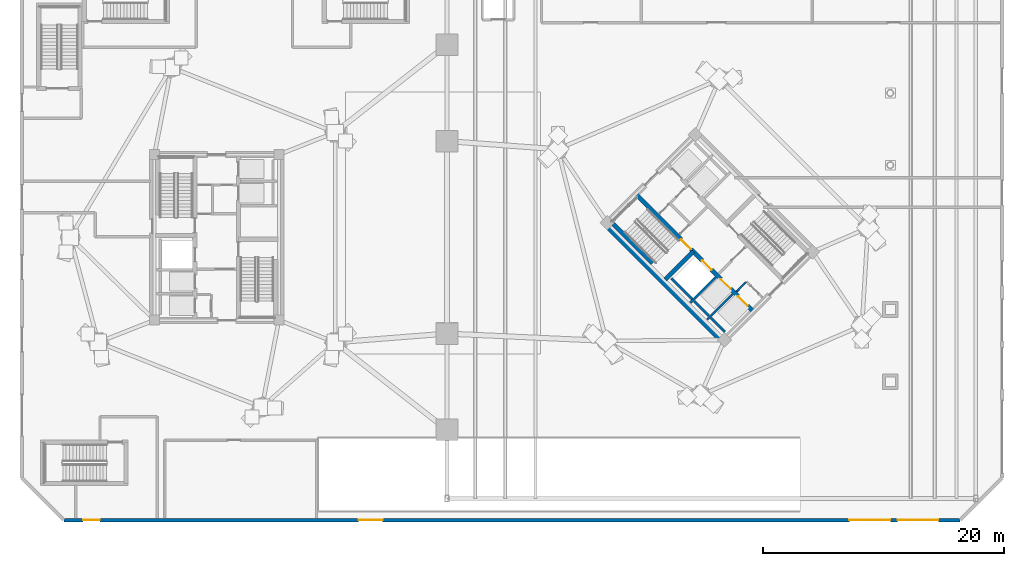
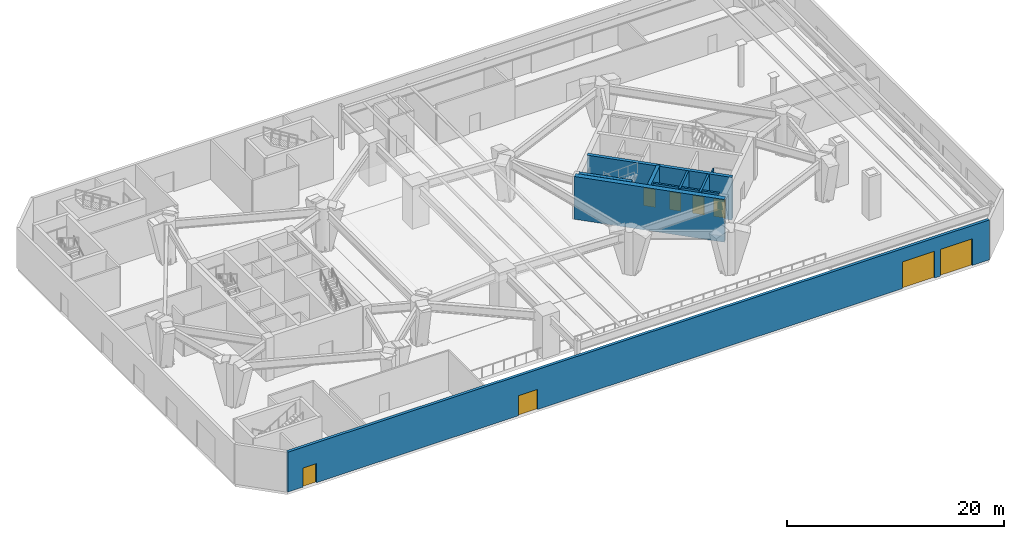
# One storey, part 7 of 17: 11 walls, 8 doors, 8 openings.
"""IFC4 building model written with IfcOpenShell, lengths in metres."""

from ifc_helpers import new_model, si_unit, direction, frame, frame_2d, origin, place, context, subcontext, project, spatial, rectangle, extrude, source, transform, mapped, material, layer, layer_set, type_object, element, fill, save


model = new_model("IFC4")

# Units and contexts
model_context = context("Model", 3, precision=1e-05, world=origin(), true_north=direction((0.0, 1.0)))
body_context = subcontext(model_context, "Body", "Model", "MODEL_VIEW")
ifc_project = project(units=[si_unit("LENGTHUNIT", "METRE"), si_unit("AREAUNIT", "SQUARE_METRE"), si_unit("VOLUMEUNIT", "CUBIC_METRE"), si_unit("PLANEANGLEUNIT", "RADIAN"), si_unit("MASSUNIT", "GRAM", prefix="KILO")], contexts=[model_context])

# Site, building, storey
site_placement = place(None, origin())
site = spatial("IfcSite", under=ifc_project, at=site_placement, CompositionType="ELEMENT")
building_placement = place(site_placement, origin())
building = spatial("IfcBuilding", under=site, at=building_placement, Name="Cununo Teusaquillo Station Towers", CompositionType="ELEMENT")
storey_placement = place(building_placement, origin())
storey = spatial("IfcBuildingStorey", under=building, at=storey_placement, Name="L00", CompositionType="ELEMENT", Elevation=0.0)

# Walls
ifc_material_1 = material(Name="Concrete C50/60", Category="concrete")
ifc_layer_1 = layer(ifc_material_1, 0.199951171875)
ifc_layer_set_1 = layer_set([ifc_layer_1], Name="Concrete C50/60")
wall_type_1 = type_object("IfcWallType", Name="WL-CORE-200", PredefinedType="SHEAR", material=ifc_layer_set_1)
wall_1_placement = place(storey_placement, frame((55.8876953125, 19.0693359375, 0.0), z_axis=(0.0, 0.0, 1.0), x_axis=(0.707106781187, 0.707106781187, 0.0)))
element("IfcWall", 1, at=wall_1_placement, inside=storey, type_object=wall_type_1, Name="L00 Tower B Firefighting Lift Shaft South Shear Wall", PredefinedType="SHEAR", context=body_context, shape_type="SweptSolid", body=[
    extrude(rectangle(XDim=2.969970703125, YDim=0.199951171875, at=frame_2d((1.48486328125, 0.0))), origin(), (0.0, 0.0, 1.0), 4.800048828125),
])
wall_2_placement = place(storey_placement, frame((56.01513671875, 19.366455078125, 0.0), z_axis=(0.0, 0.0, 1.0), x_axis=(-0.707106781187, 0.707106781187, 0.0)))
element("IfcWall", 2, at=wall_2_placement, inside=storey, type_object=wall_type_1, Name="L00 Tower B Firefighting Lift Shaft Rear Shear Wall", PredefinedType="SHEAR", context=body_context, shape_type="SweptSolid", body=[
    extrude(rectangle(XDim=2.43994140625, YDim=0.199951171875, at=frame_2d((1.219970703125, 0.0))), origin(), (0.0, 0.0, 1.0), 4.800048828125),
])
wall_3_placement = place(storey_placement, frame((57.2841796875, 17.6728515625, 0.0), z_axis=(0.0, 0.0, 1.0), x_axis=(0.707147878904, 0.70706568108, 0.0)))
element("IfcWall", 3, at=wall_3_placement, inside=storey, type_object=wall_type_1, Name="L00 Tower B High-Rise Lift Hoistway Divider Shear Wall", PredefinedType="SHEAR", context=body_context, shape_type="SweptSolid", body=[
    extrude(rectangle(XDim=2.97021484375, YDim=0.199951171875, at=frame_2d((1.485107421875, 0.0))), origin(), (0.0, 0.0, 1.0), 4.800048828125),
])
wall_4_placement = place(storey_placement, frame((57.41162109375, 17.969970703125, 0.0), z_axis=(0.0, 0.0, 1.0), x_axis=(-0.707106781187, 0.707106781187, 0.0)))
element("IfcWall", 4, at=wall_4_placement, inside=storey, type_object=wall_type_1, Name="L00 Tower B High-Rise Lift 2 Shaft Rear Shear Wall", PredefinedType="SHEAR", context=body_context, shape_type="SweptSolid", body=[
    extrude(rectangle(XDim=1.73486328125, YDim=0.199951171875, at=frame_2d((0.867431640625, 0.0))), origin(), (0.0, 0.0, 1.0), 4.800048828125),
])
wall_5_placement = place(storey_placement, frame((58.7373046875, 16.64404296875, 0.0), z_axis=(0.0, 0.0, 1.0), x_axis=(-0.707032117043, 0.707181437447, 0.0)))
element("IfcWall", 5, at=wall_5_placement, inside=storey, type_object=wall_type_1, Name="L00 Tower B High-Rise Lift 1 Shaft Rear Shear Wall", PredefinedType="SHEAR", context=body_context, shape_type="SweptSolid", body=[
    extrude(rectangle(XDim=1.635009765625, YDim=0.199951171875, at=frame_2d((0.8173828125, 0.0))), origin(), (0.0, 0.0, 1.0), 4.800048828125),
])

# Wall, openings, doors
ifc_material_2 = material(Name="Concrete C50/60", Category="concrete")
ifc_layer_2 = layer(ifc_material_2, 0.35009765625)
ifc_layer_set_2 = layer_set([ifc_layer_2], Name="Concrete C50/60")
wall_type_2 = type_object("IfcWallType", Name="WL-CORE-350", PredefinedType="SHEAR", material=ifc_layer_set_2)
wall_6_placement = place(storey_placement, frame((61.095703125, 18.337646484375, 0.0), z_axis=(0.0, 0.0, 1.0), x_axis=(-0.707106781187, 0.707106781187, 0.0)))
wall_6 = element("IfcWall", 6, at=wall_6_placement, inside=storey, type_object=wall_type_2, Name="L00 Tower B Core Shear Wall IW", PredefinedType="SHEAR", context=body_context, shape_type="SweptSolid", body=[
    extrude(rectangle(XDim=13.800048828125, YDim=0.35009765625, at=frame_2d((6.89990234375, 0.0))), origin(), (0.0, 0.0, 1.0), 4.800048828125),
])
shared_shape_1 = source(origin(), body_context, "Body", "SweptSolid", [
    extrude(rectangle(XDim=1.10009765625, YDim=2.014892578125, at=frame_2d((0.550048828125, 1.00732421875))), frame((0.0, 0.18505859375, 0.0), z_axis=(0.0, -1.0, 0.0), x_axis=(1.0, 0.0, 0.0)), (0.0, 0.0, 1.0), 0.3701171875),
])
opening_1_placement = place(wall_6_placement, frame((4.89990234375, 0.0, 0.0)))
opening_1 = element("IfcOpeningElement", 7, at=opening_1_placement, cuts=wall_6, Name="Opening LD-01", PredefinedType="OPENING", context=body_context, shape_type="MappedRepresentation", body=[
    mapped(shared_shape_1, transform((0.0, 0.0, 0.0), x_axis=(1.0, 0.0, 0.0), y_axis=(0.0, 1.0, 0.0), z_axis=(0.0, 0.0, 1.0), scale=1.0)),
])
opening_2_placement = place(wall_6_placement, frame((0.6748046875, 0.0, 0.0)))
opening_2 = element("IfcOpeningElement", 8, at=opening_2_placement, cuts=wall_6, Name="Opening LD-01", PredefinedType="OPENING", context=body_context, shape_type="MappedRepresentation", body=[
    mapped(shared_shape_1, transform((0.0, 0.0, 0.0), x_axis=(1.0, 0.0, 0.0), y_axis=(0.0, 1.0, 0.0), z_axis=(0.0, 0.0, 1.0), scale=1.0)),
])
opening_3_placement = place(wall_6_placement, frame((2.6748046875, 0.0, 0.0)))
opening_3 = element("IfcOpeningElement", 9, at=opening_3_placement, cuts=wall_6, Name="Opening LD-01", PredefinedType="OPENING", context=body_context, shape_type="MappedRepresentation", body=[
    mapped(shared_shape_1, transform((0.0, 0.0, 0.0), x_axis=(1.0, 0.0, 0.0), y_axis=(0.0, 1.0, 0.0), z_axis=(0.0, 0.0, 1.0), scale=1.0)),
])
shared_shape_2 = source(origin(), body_context, "Body", "SweptSolid", [
    extrude(rectangle(XDim=1.14990234375, YDim=2.02001953125, at=frame_2d((0.574951171875, 1.010009765625))), frame((0.0, 0.18505859375, 0.0), z_axis=(0.0, -1.0, 0.0), x_axis=(1.0, 0.0, 0.0)), (0.0, 0.0, 1.0), 0.3701171875),
])
opening_4_placement = place(wall_6_placement, frame((7.320068359375, 0.0, 0.0)))
opening_4 = element("IfcOpeningElement", 10, at=opening_4_placement, cuts=wall_6, Name="Opening D-ST1", PredefinedType="OPENING", context=body_context, shape_type="MappedRepresentation", body=[
    mapped(shared_shape_2, transform((0.0, 0.0, 0.0), x_axis=(1.0, 0.0, 0.0), y_axis=(0.0, 1.0, 0.0), z_axis=(0.0, 0.0, 1.0), scale=1.0)),
])
ifc_material_3 = material(Name="Galvanised fire-rated hollow steel door assembly", Category="steel")
door_type_1 = type_object("IfcDoorType", Name="DR-LIFT-1100", OperationType="SLIDING_TO_LEFT", PredefinedType="DOOR", material=ifc_material_3)
shared_shape_3 = source(origin(), body_context, "Body", "SweptSolid", [
    extrude(rectangle(XDim=1.10009765625, YDim=2.014892578125, at=frame_2d((0.550048828125, 1.00732421875))), frame((0.0, 0.02490234375, 0.0), z_axis=(0.0, -1.0, 0.0), x_axis=(1.0, 0.0, 0.0)), (0.0, 0.0, 1.0), 0.050048828125),
])
door_1_placement = place(opening_1_placement, origin())
door_1 = element("IfcDoor", 11, at=door_1_placement, inside=storey, type_object=door_type_1, Name="L00 Lift FL-T2 Sliding Landing Door", OperationType="SLIDING_TO_RIGHT", OverallHeight=2.014892578125, OverallWidth=1.10009765625, PredefinedType="DOOR", context=body_context, shape_type="MappedRepresentation", body=[
    mapped(shared_shape_3, transform((0.0, 0.0, 0.0), x_axis=(1.0, 0.0, 0.0), y_axis=(0.0, 1.0, 0.0), z_axis=(0.0, 0.0, 1.0), scale=1.0)),
])
fill(opening_1, door_1)
door_2_placement = place(opening_2_placement, origin())
door_2 = element("IfcDoor", 12, at=door_2_placement, inside=storey, type_object=door_type_1, Name="L00 Lift PL-T2-H1 Sliding Landing Door", OperationType="SLIDING_TO_LEFT", OverallHeight=2.014892578125, OverallWidth=1.10009765625, PredefinedType="DOOR", context=body_context, shape_type="MappedRepresentation", body=[
    mapped(shared_shape_3, transform((0.0, 0.0, 0.0), x_axis=(1.0, 0.0, 0.0), y_axis=(0.0, 1.0, 0.0), z_axis=(0.0, 0.0, 1.0), scale=1.0)),
])
fill(opening_2, door_2)
door_3_placement = place(opening_3_placement, origin())
door_3 = element("IfcDoor", 13, at=door_3_placement, inside=storey, type_object=door_type_1, Name="L00 Lift PL-T2-H2 Sliding Landing Door", OperationType="SLIDING_TO_RIGHT", OverallHeight=2.014892578125, OverallWidth=1.10009765625, PredefinedType="DOOR", context=body_context, shape_type="MappedRepresentation", body=[
    mapped(shared_shape_3, transform((0.0, 0.0, 0.0), x_axis=(1.0, 0.0, 0.0), y_axis=(0.0, 1.0, 0.0), z_axis=(0.0, 0.0, 1.0), scale=1.0)),
])
fill(opening_3, door_3)
ifc_material_4 = material(Name="Galvanised fire-rated hollow steel door assembly", Category="steel")
door_type_2 = type_object("IfcDoorType", Name="DR-STAIR-1150", OperationType="NOTDEFINED", PredefinedType="DOOR", material=ifc_material_4)
shared_shape_4 = source(origin(), body_context, "Body", "SweptSolid", [
    extrude(rectangle(XDim=1.14990234375, YDim=2.02001953125, at=frame_2d((0.574951171875, 1.010009765625))), frame((0.0, 0.02490234375, 0.0), z_axis=(0.0, -1.0, 0.0), x_axis=(1.0, 0.0, 0.0)), (0.0, 0.0, 1.0), 0.050048828125),
])
door_4_placement = place(opening_4_placement, origin())
door_4 = element("IfcDoor", 14, at=door_4_placement, inside=storey, type_object=door_type_2, Name="L00 Tower B Exit Stair 1 Fire Door", OperationType="SINGLE_SWING_LEFT", OverallHeight=2.02001953125, OverallWidth=1.14990234375, PredefinedType="DOOR", context=body_context, shape_type="MappedRepresentation", body=[
    mapped(shared_shape_4, transform((0.0, 0.0, 0.0), x_axis=(1.0, 0.0, 0.0), y_axis=(0.0, 1.0, 0.0), z_axis=(0.0, 0.0, 1.0), scale=1.0)),
])
fill(opening_4, door_4)

# Walls
wall_7_placement = place(storey_placement, frame((52.723388671875, 22.33984375, 0.0), z_axis=(0.0, 0.0, 1.0), x_axis=(-0.707106781187, 0.707106781187, 0.0)))
element("IfcWall", 15, at=wall_7_placement, inside=storey, type_object=wall_type_2, Name="L00 Tower B Core Shear Wall ST1W", PredefinedType="SHEAR", context=body_context, shape_type="SweptSolid", body=[
    extrude(rectangle(XDim=5.0498046875, YDim=0.35009765625, at=frame_2d((2.52490234375, 0.0))), origin(), (0.0, 0.0, 1.0), 4.800048828125),
])
wall_8_placement = place(storey_placement, frame((53.7841796875, 21.00341796875, 0.0), z_axis=(0.0, 0.0, 1.0), x_axis=(0.707106781187, 0.707106781187, 0.0)))
element("IfcWall", 16, at=wall_8_placement, inside=storey, type_object=wall_type_2, Name="L00 Tower B Core Shear Wall ST1S", PredefinedType="SHEAR", context=body_context, shape_type="SweptSolid", body=[
    extrude(rectangle(XDim=3.284912109375, YDim=0.35009765625, at=frame_2d((1.642578125, 0.0))), origin(), (0.0, 0.0, 1.0), 4.800048828125),
])
ifc_material_5 = material(Name="Concrete C60/75", Category="concrete")
ifc_layer_3 = layer(ifc_material_5, 0.5)
ifc_layer_set_3 = layer_set([ifc_layer_3], Name="Concrete C60/75")
wall_type_3 = type_object("IfcWallType", Name="WL-CORE-500", PredefinedType="SHEAR", material=ifc_layer_set_3)
wall_9_placement = place(storey_placement, frame((58.772705078125, 15.6611328125, 0.0), z_axis=(0.0, 0.0, 1.0), x_axis=(-0.707106781187, 0.707106781187, 0.0)))
element("IfcWall", 17, at=wall_9_placement, inside=storey, type_object=wall_type_3, Name="L00 Tower B Core Shear Wall W", PredefinedType="SHEAR", context=body_context, shape_type="SweptSolid", body=[
    extrude(rectangle(XDim=14.2998046875, YDim=0.5, at=frame_2d((7.14990234375, 0.0))), origin(), (0.0, 0.0, 1.0), 4.800048828125),
])

# Wall, openings, doors
ifc_material_6 = material(Name="Precast concrete C40/50", Category="concrete")
ifc_layer_4 = layer(ifc_material_6, 0.300048828125)
ifc_layer_set_4 = layer_set([ifc_layer_4], Name="Precast concrete C40/50")
wall_type_4 = type_object("IfcWallType", Name="WL-EXT-300", PredefinedType="SOLIDWALL", material=ifc_layer_set_4)
wall_10_placement = place(storey_placement, frame((78.300048828125, 1.0, 0.0), z_axis=(0.0, 0.0, 1.0), x_axis=(-1.0, 0.0, 0.0)))
wall_10 = element("IfcWall", 18, at=wall_10_placement, inside=storey, type_object=wall_type_4, Name="L00 Station Podium Facade Wall 7", PredefinedType="SOLIDWALL", context=body_context, shape_type="SweptSolid", body=[
    extrude(rectangle(XDim=74.5, YDim=0.300048828125, at=frame_2d((37.25, 0.0))), origin(), (0.0, 0.0, 1.0), 4.485107421875),
])
shared_shape_5 = source(origin(), body_context, "Body", "SweptSolid", [
    extrude(rectangle(XDim=3.39990234375, YDim=3.0, at=frame_2d((1.699951171875, 1.5))), frame((0.0, 0.159912109375, 0.0), z_axis=(0.0, -1.0, 0.0), x_axis=(1.0, 0.0, 0.0)), (0.0, 0.0, 1.0), 0.320068359375),
])
opening_5_placement = place(wall_10_placement, frame((1.800048828125, 0.0, 0.0)))
opening_5 = element("IfcOpeningElement", 19, at=opening_5_placement, cuts=wall_10, Name="Opening VG-02", PredefinedType="OPENING", context=body_context, shape_type="MappedRepresentation", body=[
    mapped(shared_shape_5, transform((0.0, 0.0, 0.0), x_axis=(1.0, 0.0, 0.0), y_axis=(0.0, 1.0, 0.0), z_axis=(0.0, 0.0, 1.0), scale=1.0)),
])
opening_6_placement = place(wall_10_placement, frame((5.800048828125, 0.0, 0.0)))
opening_6 = element("IfcOpeningElement", 20, at=opening_6_placement, cuts=wall_10, Name="Opening VG-02", PredefinedType="OPENING", context=body_context, shape_type="MappedRepresentation", body=[
    mapped(shared_shape_5, transform((0.0, 0.0, 0.0), x_axis=(1.0, 0.0, 0.0), y_axis=(0.0, 1.0, 0.0), z_axis=(0.0, 0.0, 1.0), scale=1.0)),
])
shared_shape_6 = source(origin(), body_context, "Body", "SweptSolid", [
    extrude(rectangle(XDim=2.0, YDim=2.25, at=frame_2d((1.0, 1.125))), frame((0.0, 0.159912109375, 0.0), z_axis=(0.0, -1.0, 0.0), x_axis=(1.0, 0.0, 0.0)), (0.0, 0.0, 1.0), 0.320068359375),
])
opening_7_placement = place(wall_10_placement, frame((48.0, 0.0, 0.0)))
opening_7 = element("IfcOpeningElement", 21, at=opening_7_placement, cuts=wall_10, Name="Opening ED-01", PredefinedType="OPENING", context=body_context, shape_type="MappedRepresentation", body=[
    mapped(shared_shape_6, transform((0.0, 0.0, 0.0), x_axis=(1.0, 0.0, 0.0), y_axis=(0.0, 1.0, 0.0), z_axis=(0.0, 0.0, 1.0), scale=1.0)),
])
shared_shape_7 = source(origin(), body_context, "Body", "SweptSolid", [
    extrude(rectangle(XDim=1.39990234375, YDim=2.14990234375, at=frame_2d((0.699951171875, 1.074951171875))), frame((0.0, 0.159912109375, 0.0), z_axis=(0.0, -1.0, 0.0), x_axis=(1.0, 0.0, 0.0)), (0.0, 0.0, 1.0), 0.320068359375),
])
opening_8_placement = place(wall_10_placement, frame((71.5, 0.0, 0.0)))
opening_8 = element("IfcOpeningElement", 22, at=opening_8_placement, cuts=wall_10, Name="Opening ED-02", PredefinedType="OPENING", context=body_context, shape_type="MappedRepresentation", body=[
    mapped(shared_shape_7, transform((0.0, 0.0, 0.0), x_axis=(1.0, 0.0, 0.0), y_axis=(0.0, 1.0, 0.0), z_axis=(0.0, 0.0, 1.0), scale=1.0)),
])
ifc_material_7 = material(Name="Galvanised fire-rated hollow steel door assembly", Category="steel")
door_type_3 = type_object("IfcDoorType", Name="DR-EXT-STAIR", OperationType="NOTDEFINED", PredefinedType="DOOR", material=ifc_material_7)
shared_shape_8 = source(origin(), body_context, "Body", "SweptSolid", [
    extrude(rectangle(XDim=1.39990234375, YDim=2.14990234375, at=frame_2d((0.699951171875, 1.074951171875))), frame((0.0, 0.02490234375, 0.0), z_axis=(0.0, -1.0, 0.0), x_axis=(1.0, 0.0, 0.0)), (0.0, 0.0, 1.0), 0.050048828125),
])
door_5_placement = place(opening_8_placement, origin())
door_5 = element("IfcDoor", 23, at=door_5_placement, inside=storey, type_object=door_type_3, Name="L00 South Protected Exit Passage Final Discharge Door", OperationType="SINGLE_SWING_RIGHT", OverallHeight=2.14990234375, OverallWidth=1.39990234375, PredefinedType="DOOR", context=body_context, shape_type="MappedRepresentation", body=[
    mapped(shared_shape_8, transform((0.0, 0.0, 0.0), x_axis=(1.0, 0.0, 0.0), y_axis=(0.0, 1.0, 0.0), z_axis=(0.0, 0.0, 1.0), scale=1.0)),
])
fill(opening_8, door_5)
ifc_material_8 = material(Name="Anodised dark bronze aluminium EN AW-6063-T6", Category="aluminium")
door_type_4 = type_object("IfcDoorType", Name="DR-EXT-EXIT", OperationType="DOUBLE_DOOR_SINGLE_SWING", PredefinedType="DOOR", material=ifc_material_8)
shared_shape_9 = source(origin(), body_context, "Body", "SweptSolid", [
    extrude(rectangle(XDim=2.0, YDim=2.25, at=frame_2d((1.0, 1.125))), frame((0.0, 0.02490234375, 0.0), z_axis=(0.0, -1.0, 0.0), x_axis=(1.0, 0.0, 0.0)), (0.0, 0.0, 1.0), 0.050048828125),
])
door_6_placement = place(opening_7_placement, origin())
door_6 = element("IfcDoor", 24, at=door_6_placement, inside=storey, type_object=door_type_4, Name="L00 South Station Retail Arcade Entrance", OperationType="DOUBLE_DOOR_SINGLE_SWING", OverallHeight=2.25, OverallWidth=2.0, PredefinedType="DOOR", context=body_context, shape_type="MappedRepresentation", body=[
    mapped(shared_shape_9, transform((0.0, 0.0, 0.0), x_axis=(1.0, 0.0, 0.0), y_axis=(0.0, 1.0, 0.0), z_axis=(0.0, 0.0, 1.0), scale=1.0)),
])
fill(opening_7, door_6)
ifc_material_9 = material(Name="Galvanised fire-rated hollow steel door assembly", Category="steel")
door_type_5 = type_object("IfcDoorType", Name="DR-GATE-LOAD", OperationType="ROLLINGUP", PredefinedType="GATE", material=ifc_material_9)
shared_shape_10 = source(origin(), body_context, "Body", "SweptSolid", [
    extrude(rectangle(XDim=3.39990234375, YDim=3.0, at=frame_2d((1.699951171875, 1.5))), frame((0.0, 0.02490234375, 0.0), z_axis=(0.0, -1.0, 0.0), x_axis=(1.0, 0.0, 0.0)), (0.0, 0.0, 1.0), 0.050048828125),
])
door_7_placement = place(opening_5_placement, origin())
door_7 = element("IfcDoor", 25, at=door_7_placement, inside=storey, type_object=door_type_5, Name="L00 Service Loading Bay Shutter Gate 1", OperationType="ROLLINGUP", OverallHeight=3.0, OverallWidth=3.39990234375, PredefinedType="GATE", context=body_context, shape_type="MappedRepresentation", body=[
    mapped(shared_shape_10, transform((0.0, 0.0, 0.0), x_axis=(1.0, 0.0, 0.0), y_axis=(0.0, 1.0, 0.0), z_axis=(0.0, 0.0, 1.0), scale=1.0)),
])
fill(opening_5, door_7)
door_8_placement = place(opening_6_placement, origin())
door_8 = element("IfcDoor", 26, at=door_8_placement, inside=storey, type_object=door_type_5, Name="L00 Service Loading Bay Shutter Gate 2", OperationType="ROLLINGUP", OverallHeight=3.0, OverallWidth=3.39990234375, PredefinedType="GATE", context=body_context, shape_type="MappedRepresentation", body=[
    mapped(shared_shape_10, transform((0.0, 0.0, 0.0), x_axis=(1.0, 0.0, 0.0), y_axis=(0.0, 1.0, 0.0), z_axis=(0.0, 0.0, 1.0), scale=1.0)),
])
fill(opening_6, door_8)

# Wall
ifc_material_10 = material(Name="Fire-rated gypsum plasterboard partition assembly", Category="gypsum")
ifc_layer_5 = layer(ifc_material_10, 0.125)
ifc_layer_set_5 = layer_set([ifc_layer_5], Name="Fire-rated gypsum plasterboard partition assembly")
wall_type_5 = type_object("IfcWallType", Name="WL-PART-125", PredefinedType="PARTITIONING", material=ifc_layer_set_5)
wall_11_placement = place(storey_placement, frame((59.713134765625, 19.99560546875, 0.0), z_axis=(0.0, 0.0, 1.0), x_axis=(0.707217726, 0.706995818963, 0.0)))
element("IfcWall", 27, at=wall_11_placement, inside=storey, type_object=wall_type_5, Name="L00 Tower B South-West Compact Store North Wall", PredefinedType="PARTITIONING", context=body_context, shape_type="SweptSolid", body=[
    extrude(rectangle(XDim=1.10009765625, YDim=0.125, at=frame_2d((0.550048828125, 0.0))), origin(), (0.0, 0.0, 1.0), 4.485107421875),
])

save(model, "model.ifc")
